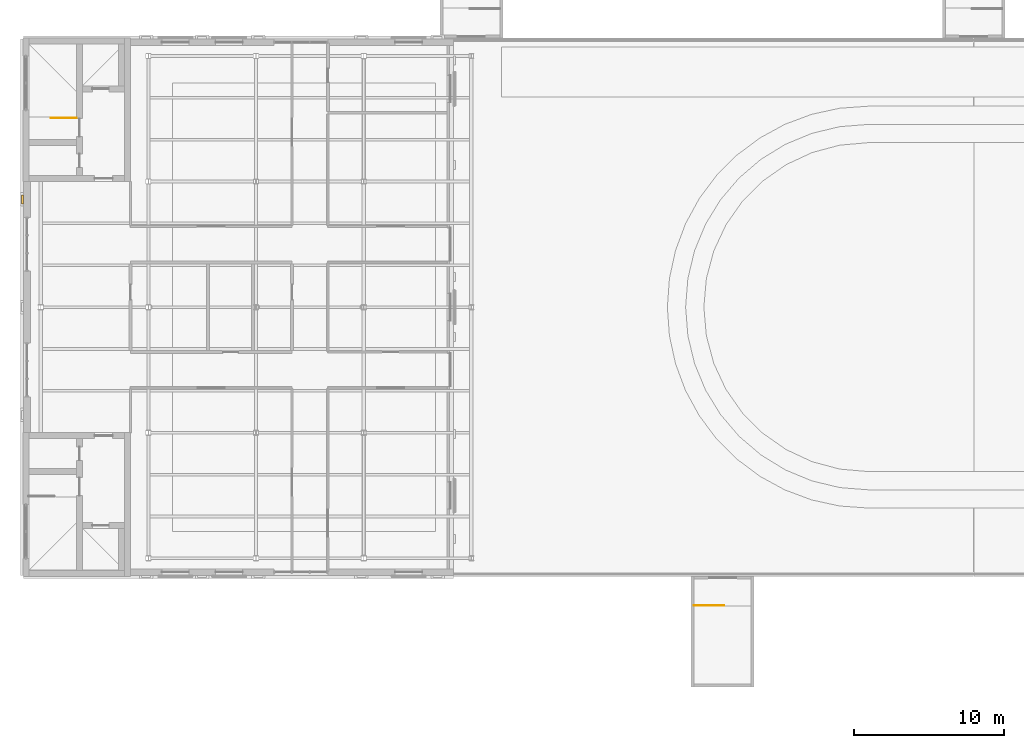
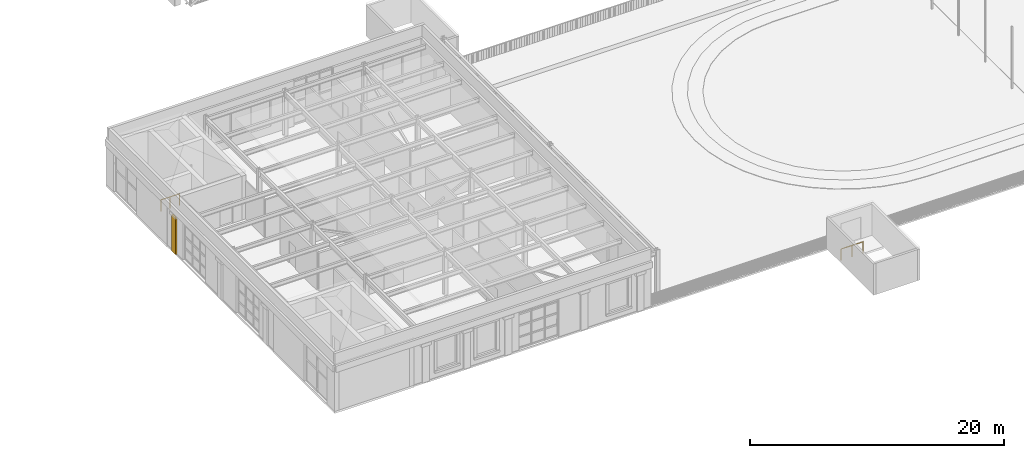
# One storey, part 120 of 127: 2 railings, 1 covering.
"""IFC4 building model written with IfcOpenShell, lengths in metres."""

from ifc_helpers import new_model, si_unit, direction, frame, origin, origin_2d, place, context, subcontext, project, spatial, rectangle, circle, extrude, material, layer, layer_set, type_object, element, save


model = new_model("IFC4")

# Units and contexts
model_context = context("Model", 3, precision=1e-05, world=origin(), true_north=direction((0.0, 1.0)))
body_context = subcontext(model_context, "Body", "Model", "MODEL_VIEW")
ifc_project = project(units=[si_unit("LENGTHUNIT", "METRE"), si_unit("AREAUNIT", "SQUARE_METRE"), si_unit("VOLUMEUNIT", "CUBIC_METRE"), si_unit("PLANEANGLEUNIT", "RADIAN"), si_unit("MASSUNIT", "GRAM", prefix="KILO")], contexts=[model_context])

# Site, building, storey
site_placement = place(None, origin())
site = spatial("IfcSite", under=ifc_project, at=site_placement, CompositionType="ELEMENT")
building_placement = place(site_placement, origin())
building = spatial("IfcBuilding", under=site, at=building_placement, Name="Verrick Yard Athletic Hall", CompositionType="ELEMENT")
storey_placement = place(building_placement, frame((0.0, 0.0, 14.0)))
storey = spatial("IfcBuildingStorey", under=building, at=storey_placement, Name="L03", CompositionType="ELEMENT", Elevation=14.0)

# Railings
ifc_material_1 = material(Name="Stainless steel", Category="steel")
railing_type = type_object("IfcRailingType", Name="Stair and core guard 1100", PredefinedType="GUARDRAIL", material=ifc_material_1)
railing_1_placement = place(storey_placement, frame((13.60009765625, 48.64990234375, 0.0)))
element("IfcRailing", 1, at=railing_1_placement, inside=storey, type_object=railing_type, Name="L03 Wing north-west top well guard 1", PredefinedType="GUARDRAIL", context=body_context, shape_type="SweptSolid", body=[
    extrude(circle(Radius=0.02392578125, at=origin_2d()), frame((0.0, 0.0, 1.076171875), z_axis=(-1.0, 0.0, 0.0), x_axis=(0.0, -1.0, 0.0)), (0.0, 0.0, 1.0), 1.7001953125),
    extrude(circle(Radius=0.02099609375, at=origin_2d()), origin(), (0.0, 0.0, 1.0), 1.052001953125),
    extrude(circle(Radius=0.02099609375, at=origin_2d()), frame((-0.85009765625, 0.0, 0.0)), (0.0, 0.0, 1.0), 1.052001953125),
    extrude(circle(Radius=0.02099609375, at=origin_2d()), frame((-1.7001953125, 0.0, 0.0)), (0.0, 0.0, 1.0), 1.052001953125),
])
railing_2_placement = place(storey_placement, frame((54.89990234375, 16.050048828125, 0.0)))
element("IfcRailing", 2, at=railing_2_placement, inside=storey, type_object=railing_type, Name="L03 South deck escape 1 top well guard 1", PredefinedType="GUARDRAIL", context=body_context, shape_type="SweptSolid", body=[
    extrude(circle(Radius=0.02392578125, at=origin_2d()), frame((0.0, 0.0, 1.076171875), z_axis=(1.0, 0.0, 0.0), x_axis=(0.0, 1.0, 0.0)), (0.0, 0.0, 1.0), 2.0),
    extrude(circle(Radius=0.02099609375, at=origin_2d()), origin(), (0.0, 0.0, 1.0), 1.052001953125),
    extrude(circle(Radius=0.02099609375, at=origin_2d()), frame((1.0, 0.0, 0.0)), (0.0, 0.0, 1.0), 1.052001953125),
    extrude(circle(Radius=0.02099609375, at=origin_2d()), frame((2.0, 0.0, 0.0)), (0.0, 0.0, 1.0), 1.052001953125),
])

# Covering
ifc_material_2 = material(Name="Tyndall-stone-look precast cladding", Category="masonry")
ifc_layer = layer(ifc_material_2, 0.125)
ifc_layer_set = layer_set([ifc_layer], Name="Stone cladding")
covering_type = type_object("IfcCoveringType", Name="Stone cladding", PredefinedType="CLADDING", material=ifc_layer_set)
covering_placement = place(storey_placement, frame((9.987548828125, 43.199951171875, 0.0), z_axis=(0.0, 0.0, 1.0), x_axis=(0.0, 1.0, 0.0)))
element("IfcCovering", 3, at=covering_placement, inside=storey, type_object=covering_type, Name="Wing pilaster", PredefinedType="CLADDING", context=body_context, shape_type="SweptSolid", body=[
    extrude(rectangle(XDim=0.60009765625, YDim=0.14990234375, at=origin_2d()), origin(), (0.0, 0.0, 1.0), 3.5),
])

save(model, "model.ifc")
